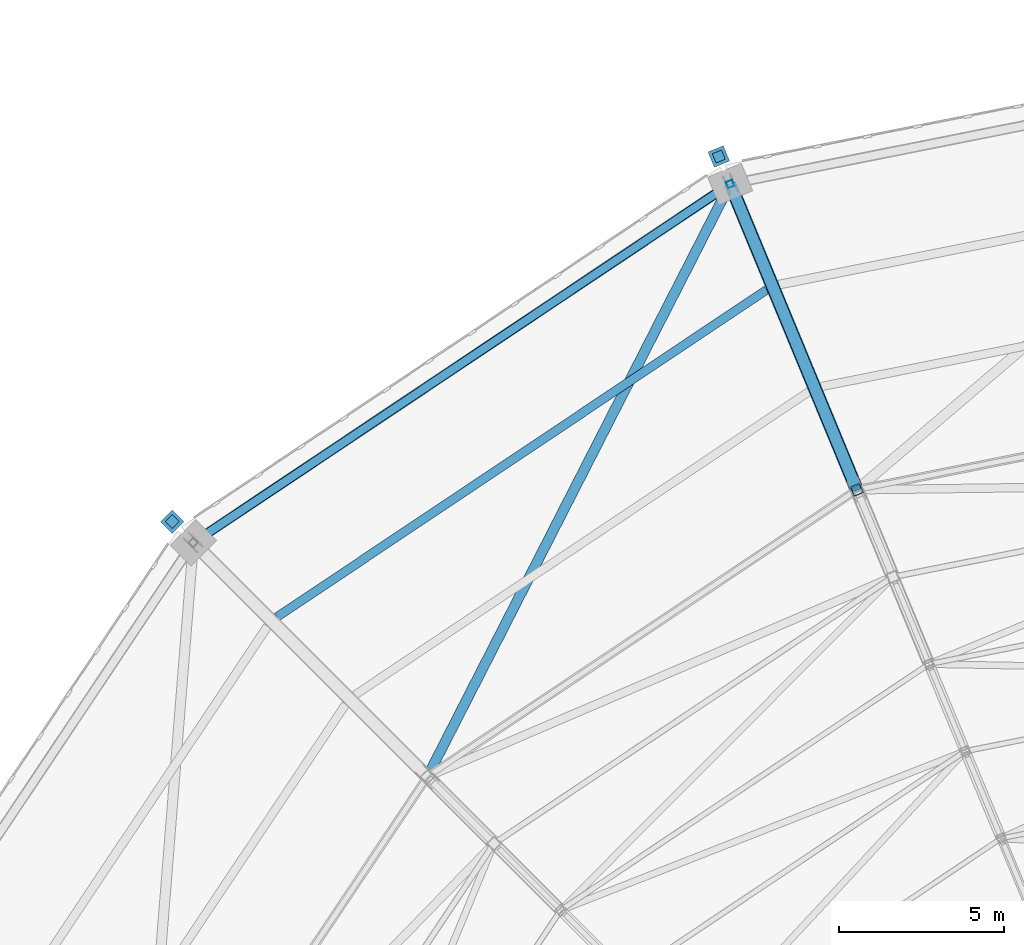
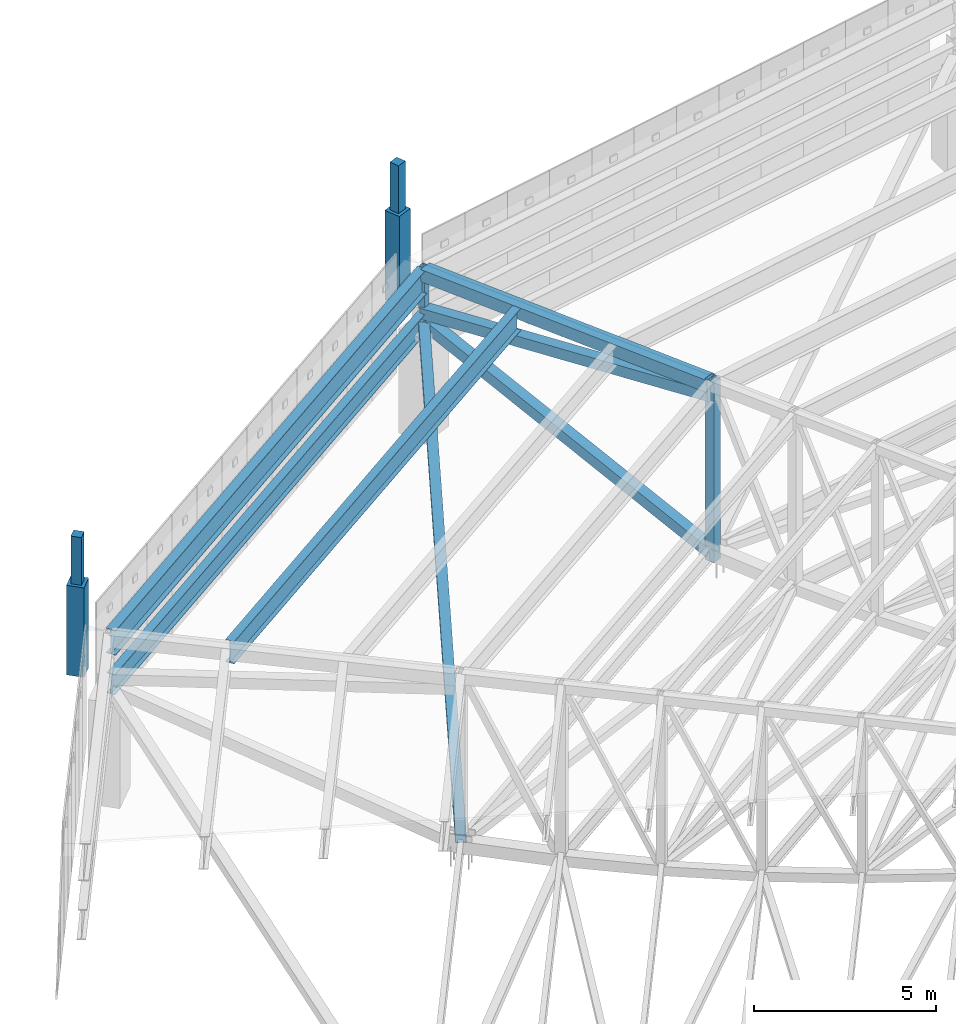
# One storey, part 89 of 278: 9 members, 4 beams.
"""IFC4 building model written with IfcOpenShell, lengths in metres."""

from ifc_helpers import new_model, si_unit, direction, frame, origin, origin_2d, place, context, subcontext, project, spatial, rectangle, hollow_rectangle, i_section, extrude, material, material_profile, profile_set, type_object, element, save


model = new_model("IFC4")

# Units and contexts
model_context = context("Model", 3, precision=1e-05, world=origin(), true_north=direction((0.0, 1.0)))
body_context = subcontext(model_context, "Body", "Model", "MODEL_VIEW")
ifc_project = project(units=[si_unit("LENGTHUNIT", "METRE"), si_unit("AREAUNIT", "SQUARE_METRE"), si_unit("VOLUMEUNIT", "CUBIC_METRE"), si_unit("PLANEANGLEUNIT", "RADIAN"), si_unit("MASSUNIT", "GRAM", prefix="KILO")], contexts=[model_context])

# Site, building, storey
site_placement = place(None, origin())
site = spatial("IfcSite", under=ifc_project, at=site_placement, CompositionType="ELEMENT")
building_placement = place(site_placement, origin())
building = spatial("IfcBuilding", under=site, at=building_placement, Name="Ogive Plaza Stadium", CompositionType="ELEMENT")
storey_placement = place(building_placement, frame((0.0, 0.0, 29.0)))
storey = spatial("IfcBuildingStorey", under=building, at=storey_placement, Name="Roof", CompositionType="ELEMENT", Elevation=29.0)

# Members
ifc_material_1 = material(Name="Concrete C45/55 precast", Category="concrete")
ifc_material_profile_1 = material_profile(ifc_material_1, rectangle(XDim=0.5, YDim=0.5, at=origin_2d()), Name="RC 500x500")
ifc_profile_set_1 = profile_set([ifc_material_profile_1], Name="Concrete C45/55 precast")
member_type_1 = type_object("IfcMemberType", Name="Precast pinnacle 500x500", PredefinedType="POST", material=ifc_profile_set_1)
for number, where, z_axis, x_axis, name in (
    (1, (-69.99169921875, 88.49169921875, 4.0), (0.0, 0.0, 1.0), (-0.707106781187, -0.707106781187, 0.0), "PINNACLE R30"),
    (2, (-53.478515625, 99.525390625, 4.0), (0.0, 0.0, 1.0), (-0.923879532511, -0.382683432365, 0.0), "PINNACLE R31"),
):
    element("IfcMember", number, at=place(storey_placement, frame(where, z_axis=z_axis, x_axis=x_axis)), inside=storey, type_object=member_type_1, Name=name, PredefinedType="POST", context=body_context, shape_type="SweptSolid", body=[
        extrude(rectangle(XDim=0.5, YDim=0.5, at=origin_2d()), origin(), (0.0, 0.0, 1.0), 3.0),
    ])
ifc_material_2 = material(Name="Concrete C45/55 precast", Category="concrete")
ifc_material_profile_2 = material_profile(ifc_material_2, rectangle(XDim=0.300048828125, YDim=0.300048828125, at=origin_2d()), Name="RC 300x300")
ifc_profile_set_2 = profile_set([ifc_material_profile_2], Name="Concrete C45/55 precast")
member_type_2 = type_object("IfcMemberType", Name="Precast spire 300x300", PredefinedType="MEMBER", material=ifc_profile_set_2)
for number, where, z_axis, x_axis, name in (
    (3, (-69.99169921875, 88.49169921875, 7.0), (0.0, 0.0, 1.0), (-0.707106781187, -0.707106781187, 0.0), "SPIRE R30"),
    (4, (-53.478515625, 99.525390625, 7.0), (0.0, 0.0, 1.0), (-0.923879532511, -0.382683432365, 0.0), "SPIRE R31"),
):
    element("IfcMember", number, at=place(storey_placement, frame(where, z_axis=z_axis, x_axis=x_axis)), inside=storey, type_object=member_type_2, Name=name, PredefinedType="MEMBER", context=body_context, shape_type="SweptSolid", body=[
        extrude(rectangle(XDim=0.300048828125, YDim=0.300048828125, at=origin_2d()), origin(), (0.0, 0.0, 1.0), 1.60009765625),
    ])
ifc_material_3 = material(Name="Steel ASTM A500 Grade C", Category="steel")
ifc_material_profile_3 = material_profile(ifc_material_3, hollow_rectangle(XDim=0.3046875, YDim=0.3046875, WallThickness=0.0087890625, at=origin_2d()), Name="HSS12X12X3/8")
ifc_profile_set_3 = profile_set([ifc_material_profile_3], Name="Steel ASTM A500 Grade C")
member_type_3 = type_object("IfcMemberType", Name="Roof plan brace HSS12X12X3/8", PredefinedType="BRACE", material=ifc_profile_set_3)
member_1_placement = place(storey_placement, frame((-62.20263671875, 80.944091796875, 0.234130859375), z_axis=(0.448328226309, 0.877506938621, 0.170245041535), x_axis=(-0.890506771447, 0.454969988029, 0.0)))
element("IfcMember", 5, at=member_1_placement, inside=storey, type_object=member_type_3, Name="ROOF BRACE B30 11", PredefinedType="BRACE", context=body_context, shape_type="SweptSolid", body=[
    extrude(hollow_rectangle(XDim=0.3046875, YDim=0.3046875, WallThickness=0.0087890625, at=origin_2d()), origin(), (0.0, 0.0, 1.0), 19.99072265625),
])
ifc_material_4 = material(Name="Steel ASTM A992 Grade 50", Category="steel")
ifc_material_profile_4 = material_profile(ifc_material_4, i_section(OverallWidth=0.2529296875, OverallDepth=0.678466796875, WebThickness=0.01171875, FlangeThickness=0.016357421875, at=origin_2d()), Name="W27X84")
ifc_profile_set_4 = profile_set([ifc_material_profile_4], Name="Steel ASTM A992 Grade 50")
member_type_4 = type_object("IfcMemberType", Name="Roof plan strut W27X84", PredefinedType="STRUT", material=ifc_profile_set_4)
member_2_placement = place(storey_placement, frame((-69.273193359375, 87.91015625, 3.677734375), z_axis=(0.831466346809, 0.555575120146, 0.0), x_axis=(-0.555575120146, 0.831466346809, 0.0)))
element("IfcMember", 6, at=member_2_placement, inside=storey, type_object=member_type_4, Name="ROOF STRUT B30 11", PredefinedType="STRUT", context=body_context, shape_type="SweptSolid", body=[
    extrude(i_section(OverallWidth=0.2529296875, OverallDepth=0.678466796875, WebThickness=0.01171875, FlangeThickness=0.016357421875, at=origin_2d()), origin(), (0.0, 0.0, 1.0), 19.3115234375),
])
ifc_material_5 = material(Name="Steel ASTM A992 Grade 50", Category="steel")
ifc_material_profile_5 = material_profile(ifc_material_5, i_section(OverallWidth=0.26416015625, OverallDepth=0.75, WebThickness=0.011962890625, FlangeThickness=0.015380859375, at=origin_2d()), Name="W30X90")
ifc_profile_set_5 = profile_set([ifc_material_profile_5], Name="Steel ASTM A992 Grade 50")
member_type_5 = type_object("IfcMemberType", Name="Roof purlin W30X90", PredefinedType="PURLIN", material=ifc_profile_set_5)
member_3_placement = place(storey_placement, frame((-66.8291015625, 85.611328125, 5.291748046875), z_axis=(0.831463264893, 0.555579732472, 0.0), x_axis=(-0.555579732472, 0.831463264893, 0.0)))
element("IfcMember", 7, at=member_3_placement, inside=storey, type_object=member_type_5, Name="ROOF PURLIN B30 12", PredefinedType="PURLIN", context=body_context, shape_type="SweptSolid", body=[
    extrude(i_section(OverallWidth=0.26416015625, OverallDepth=0.75, WebThickness=0.011962890625, FlangeThickness=0.015380859375, at=origin_2d()), origin(), (0.0, 0.0, 1.0), 17.801513671875),
])
ifc_material_6 = material(Name="Steel ASTM A992 Grade 50", Category="steel")
ifc_material_profile_6 = material_profile(ifc_material_6, i_section(OverallWidth=0.2919921875, OverallDepth=0.834716796875, WebThickness=0.013916015625, FlangeThickness=0.018798828125, at=origin_2d()), Name="W33X118")
ifc_profile_set_6 = profile_set([ifc_material_profile_6], Name="Steel ASTM A992 Grade 50")
member_type_6 = type_object("IfcMemberType", Name="Roof purlin W33X118", PredefinedType="PURLIN", material=ifc_profile_set_6)
member_4_placement = place(storey_placement, frame((-69.27001953125, 87.912353515625, 5.082763671875), z_axis=(0.831470010703, 0.55556963677, 0.0), x_axis=(-0.55556963677, 0.831470010703, 0.0)))
element("IfcMember", 8, at=member_4_placement, inside=storey, type_object=member_type_6, Name="ROOF PURLIN B30 13", PredefinedType="PURLIN", context=body_context, shape_type="SweptSolid", body=[
    extrude(i_section(OverallWidth=0.2919921875, OverallDepth=0.834716796875, WebThickness=0.013916015625, FlangeThickness=0.018798828125, at=origin_2d()), origin(), (0.0, 0.0, 1.0), 19.3037109375),
])

# Beams
ifc_material_7 = material(Name="Steel ASTM A500 Grade C", Category="steel")
ifc_material_profile_7 = material_profile(ifc_material_7, hollow_rectangle(XDim=0.355712890625, YDim=0.355712890625, WallThickness=0.0146484375, at=origin_2d()), Name="HSS14X14X5/8")
ifc_profile_set_7 = profile_set([ifc_material_profile_7], Name="Steel ASTM A500 Grade C")
beam_type_1 = type_object("IfcBeamType", Name="Roof truss back-span bottom chord HSS14X14X5/8", PredefinedType="BEAM", material=ifc_profile_set_7)
beam_1_placement = place(storey_placement, frame((-49.326416015625, 89.50146484375, 0.205810546875), z_axis=(-0.361198342864, 0.8720107052, 0.330352973543), x_axis=(-0.92387965154, -0.382683145003, 0.0)))
element("IfcBeam", 9, at=beam_1_placement, inside=storey, type_object=beam_type_1, Name="ROOF TRUSS T31 BOTTOM CHORD 11", PredefinedType="BEAM", context=body_context, shape_type="SweptSolid", body=[
    extrude(hollow_rectangle(XDim=0.355712890625, YDim=0.355712890625, WallThickness=0.0146484375, at=origin_2d()), origin(), (0.0, 0.0, 1.0), 10.4794921875),
])
ifc_material_8 = material(Name="Steel ASTM A500 Grade C", Category="steel")
ifc_material_profile_8 = material_profile(ifc_material_8, hollow_rectangle(XDim=0.406494140625, YDim=0.406494140625, WallThickness=0.01171875, at=origin_2d()), Name="HSS16X16X1/2")
ifc_profile_set_8 = profile_set([ifc_material_profile_8], Name="Steel ASTM A500 Grade C")
beam_type_2 = type_object("IfcBeamType", Name="Roof truss back-span top chord HSS16X16X1/2", PredefinedType="BEAM", material=ifc_profile_set_8)
beam_2_placement = place(storey_placement, frame((-49.326416015625, 89.50146484375, 5.7939453125), z_axis=(-0.382212873931, 0.922724635654, -0.049925602233), x_axis=(-0.923876765838, -0.382690111637, 0.0)))
element("IfcBeam", 10, at=beam_2_placement, inside=storey, type_object=beam_type_2, Name="ROOF TRUSS T31 TOP CHORD 11", PredefinedType="BEAM", context=body_context, shape_type="SweptSolid", body=[
    extrude(hollow_rectangle(XDim=0.406494140625, YDim=0.406494140625, WallThickness=0.01171875, at=origin_2d()), origin(), (0.0, 0.0, 1.0), 9.912109375),
])

# Member
ifc_material_9 = material(Name="Steel ASTM A500 Grade C", Category="steel")
ifc_material_profile_9 = material_profile(ifc_material_9, hollow_rectangle(XDim=0.355712890625, YDim=0.355712890625, WallThickness=0.01171875, at=origin_2d()), Name="HSS14X14X1/2")
ifc_profile_set_9 = profile_set([ifc_material_profile_9], Name="Steel ASTM A500 Grade C")
member_type_7 = type_object("IfcMemberType", Name="Roof truss back-stay HSS14X14X1/2", PredefinedType="BRACE", material=ifc_profile_set_9)
member_5_placement = place(storey_placement, frame((-49.3330078125, 89.51708984375, 5.456787109375), z_axis=(-0.378574229049, 0.913970348271, -0.146081332079), x_axis=(-0.923881206794, -0.382679390263, 0.0)))
element("IfcMember", 11, at=member_5_placement, inside=storey, type_object=member_type_7, Name="BACK-STAY T31", PredefinedType="BRACE", context=body_context, shape_type="SweptSolid", body=[
    extrude(hollow_rectangle(XDim=0.355712890625, YDim=0.355712890625, WallThickness=0.01171875, at=origin_2d()), origin(), (0.0, 0.0, 1.0), 10.024169921875),
])

# Beams
ifc_material_10 = material(Name="Steel ASTM A500 Grade C", Category="steel")
ifc_material_profile_10 = material_profile(ifc_material_10, hollow_rectangle(XDim=0.3046875, YDim=0.3046875, WallThickness=0.01171875, at=origin_2d()), Name="HSS12X12X1/2")
ifc_profile_set_10 = profile_set([ifc_material_profile_10], Name="Steel ASTM A500 Grade C")
beam_type_3 = type_object("IfcBeamType", Name="Roof truss post HSS12X12X1/2", PredefinedType="BEAM", material=ifc_profile_set_10)
beam_3_placement = place(storey_placement, frame((-49.307373046875, 89.455078125, -0.06005859375), z_axis=(0.0, 0.0, 1.0), x_axis=(-0.923879532511, -0.382683432365, 0.0)))
element("IfcBeam", 12, at=beam_3_placement, inside=storey, type_object=beam_type_3, Name="ROOF TRUSS T31 POST 11", PredefinedType="BEAM", context=body_context, shape_type="SweptSolid", body=[
    extrude(hollow_rectangle(XDim=0.3046875, YDim=0.3046875, WallThickness=0.01171875, at=origin_2d()), origin(), (0.0, 0.0, 1.0), 6.06005859375),
])
ifc_material_11 = material(Name="Steel ASTM A500 Grade C", Category="steel")
ifc_material_profile_11 = material_profile(ifc_material_11, hollow_rectangle(XDim=0.203125, YDim=0.203125, WallThickness=0.0087890625, at=origin_2d()), Name="HSS8X8X3/8")
ifc_profile_set_11 = profile_set([ifc_material_profile_11], Name="Steel ASTM A500 Grade C")
beam_type_4 = type_object("IfcBeamType", Name="Roof truss post HSS8X8X3/8", PredefinedType="BEAM", material=ifc_profile_set_11)
beam_4_placement = place(storey_placement, frame((-53.13427734375, 98.694091796875, 3.43994140625), z_axis=(0.0, 0.0, 1.0), x_axis=(-0.923879532511, -0.382683432365, 0.0)))
element("IfcBeam", 13, at=beam_4_placement, inside=storey, type_object=beam_type_4, Name="ROOF TRUSS T31 POST 12", PredefinedType="BEAM", context=body_context, shape_type="SweptSolid", body=[
    extrude(hollow_rectangle(XDim=0.203125, YDim=0.203125, WallThickness=0.0087890625, at=origin_2d()), origin(), (0.0, 0.0, 1.0), 2.06005859375),
])

save(model, "model.ifc")
